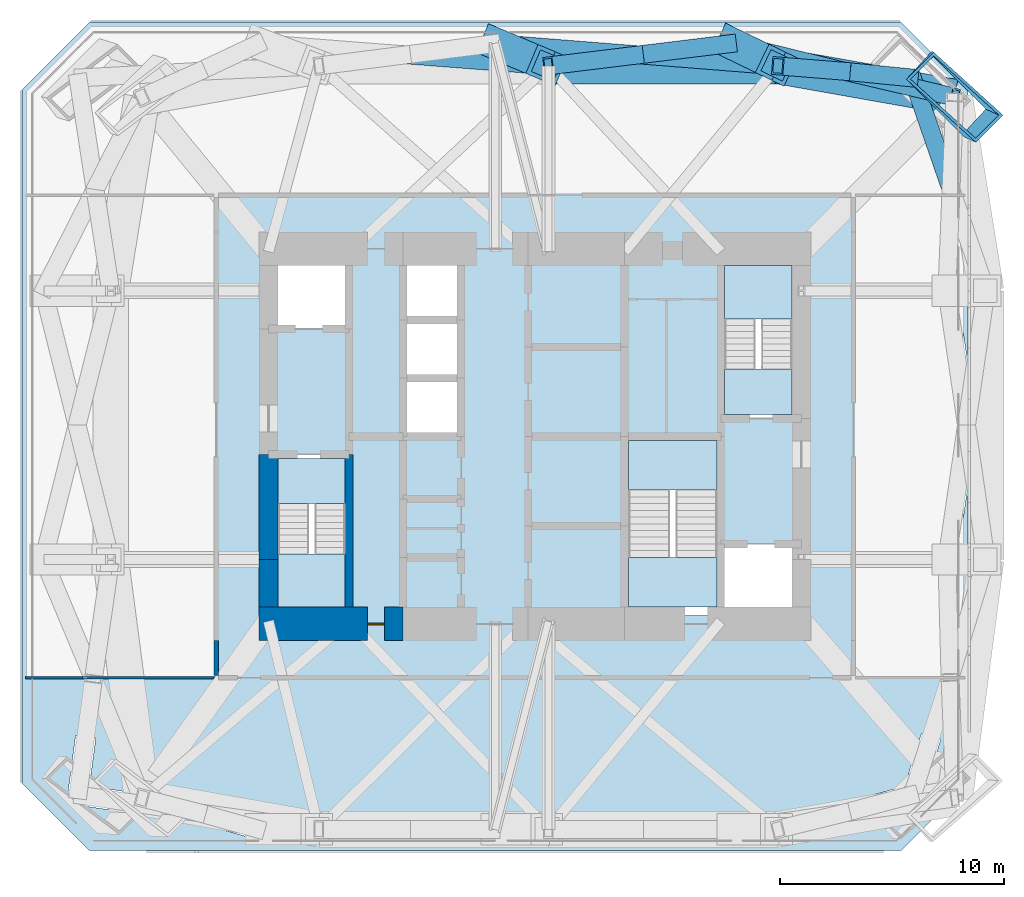
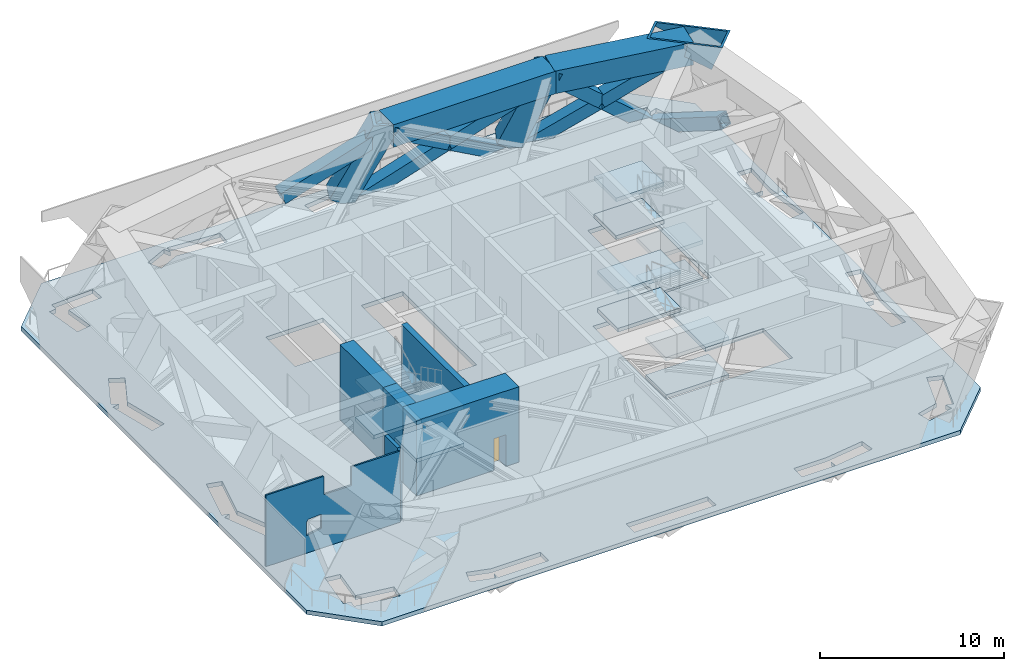
# One storey, part 3 of 8: 13 members, 13 slabs, 6 walls, 2 beams, 1 door, 1 opening, 3 elements without a shape of their own.
"""IFC4 building model written with IfcOpenShell, lengths in metres."""

from ifc_helpers import new_model, si_unit, direction, frame, frame_2d, origin, origin_2d, place, context, subcontext, project, spatial, polyline, rectangle, hollow_rectangle, outline, extrude, clip, halfspace, material, layer, layer_set, constituent, constituent_set, material_profile, profile_set, type_object, element, fill, aggregate, save


model = new_model("IFC4")

# Units and contexts
model_context = context("Model", 3, precision=1e-05, world=origin(), true_north=direction((0.0, 1.0)))
body_context = subcontext(model_context, "Body", "Model", "MODEL_VIEW")
ifc_project = project(units=[si_unit("LENGTHUNIT", "METRE"), si_unit("AREAUNIT", "SQUARE_METRE"), si_unit("VOLUMEUNIT", "CUBIC_METRE"), si_unit("PLANEANGLEUNIT", "RADIAN"), si_unit("MASSUNIT", "GRAM", prefix="KILO")], contexts=[model_context])

# Site, building, storey
site_placement = place(None, origin())
site = spatial("IfcSite", under=ifc_project, at=site_placement, CompositionType="ELEMENT")
building_placement = place(site_placement, origin())
building = spatial("IfcBuilding", under=site, at=building_placement, Name="Jalousie Tower", CompositionType="ELEMENT")
storey_placement = place(building_placement, frame((0.0, 0.0, 149.35009765625)))
storey = spatial("IfcBuildingStorey", under=building, at=storey_placement, Name="L40", CompositionType="ELEMENT", Elevation=149.35009765625)

# Members
ifc_material_1 = material(Name="Steel EN 10025-2 S355J2 plate", Category="steel")
ifc_material_profile_1 = material_profile(ifc_material_1, hollow_rectangle(XDim=1.699951171875, YDim=3.89990234375, WallThickness=0.125, at=origin_2d()), Name="BOX 3900x1700x125")
ifc_profile_set_1 = profile_set([ifc_material_profile_1], Name="Steel EN 10025-2 S355J2 plate")
member_type_1 = type_object("IfcMemberType", Name="KINK NODE BOX 3900x1700x125", PredefinedType="MEMBER", material=ifc_profile_set_1)
member_1_placement = place(storey_placement, frame((50.34375, 33.791259765625, 4.186279296875), z_axis=(0.34925735181, -0.158627396994, 0.92350238285), x_axis=(-0.666232311879, -0.735074274874, 0.125699311958)))
element("IfcMember", 1, at=member_1_placement, inside=storey, type_object=member_type_1, Name="Kink node of corner column 08 at +154.350", PredefinedType="MEMBER", context=body_context, shape_type="Clipping", body=[
    clip(extrude(hollow_rectangle(XDim=1.699951171875, YDim=3.89990234375, WallThickness=0.125, at=origin_2d()), origin(), (0.0, 0.0, 1.0), 1.76220703125), halfspace(frame((0.0, 0.0, 0.881103515625), z_axis=(0.125699311958, -0.362412792053, 0.92350238285)), False)),
])
ifc_material_2 = material(Name="Steel ASTM A572 Grade 50 plate", Category="steel")
ifc_material_profile_2 = material_profile(ifc_material_2, hollow_rectangle(XDim=0.800048828125, YDim=0.800048828125, WallThickness=0.080078125, at=origin_2d()), Name="BOX 800x800x80")
ifc_profile_set_2 = profile_set([ifc_material_profile_2], Name="Steel ASTM A572 Grade 50 plate")
member_type_2 = type_object("IfcMemberType", Name="PERIMETER BRACE BOX 800x800x80", PredefinedType="BRACE", material=ifc_profile_set_2)
member_2_placement = place(storey_placement, frame((48.760009765625, 34.510009765625, -0.75), z_axis=(0.292868549058, -0.846327458881, 0.444924538901), x_axis=(0.945017463506, 0.32701986739, 0.0)))
element("IfcMember", 2, at=member_2_placement, inside=storey, type_object=member_type_2, Name="Perimeter brace 07-08 L40 part 3", PredefinedType="BRACE", context=body_context, shape_type="SweptSolid", body=[
    extrude(hollow_rectangle(XDim=0.800048828125, YDim=0.800048828125, WallThickness=0.080078125, at=origin_2d()), origin(), (0.0, 0.0, 1.0), 5.884521484375),
])
member_3_placement = place(storey_placement, frame((48.760009765625, 34.510009765625, -0.75), z_axis=(-0.765677546783, 0.075537971717, 0.638773754299), x_axis=(-0.098178449842, -0.995168825872, 0.0)))
element("IfcMember", 3, at=member_3_placement, inside=storey, type_object=member_type_2, Name="Perimeter brace 08-09 L40 part 1", PredefinedType="BRACE", context=body_context, shape_type="SweptSolid", body=[
    extrude(hollow_rectangle(XDim=0.800048828125, YDim=0.800048828125, WallThickness=0.080078125, at=origin_2d()), origin(), (0.0, 0.0, 1.0), 3.959228515625),
])
member_4_placement = place(storey_placement, frame((45.728515625, 34.80908203125, 1.779052734375), z_axis=(-0.768148642914, 0.062144484472, 0.637248558601), x_axis=(-0.080638178262, -0.99674343951, 0.0)))
element("IfcMember", 4, at=member_4_placement, inside=storey, type_object=member_type_2, Name="Perimeter brace 08-09 L40 part 2", PredefinedType="BRACE", context=body_context, shape_type="SweptSolid", body=[
    extrude(hollow_rectangle(XDim=0.800048828125, YDim=0.800048828125, WallThickness=0.080078125, at=origin_2d()), origin(), (0.0, 0.0, 1.0), 3.87744140625),
])
member_5_placement = place(storey_placement, frame((40.6875, 36.050048828125, -0.75), z_axis=(0.872938215043, -0.214894660358, 0.437948807131), x_axis=(0.239037465316, 0.97101034504, 0.0)))
element("IfcMember", 5, at=member_5_placement, inside=storey, type_object=member_type_2, Name="Perimeter brace 08-09 L40 part 3", PredefinedType="BRACE", context=body_context, shape_type="SweptSolid", body=[
    extrude(hollow_rectangle(XDim=0.800048828125, YDim=0.800048828125, WallThickness=0.080078125, at=origin_2d()), origin(), (0.0, 0.0, 1.0), 5.774658203125),
])
member_6_placement = place(storey_placement, frame((45.728515625, 34.80908203125, 1.779052734375), z_axis=(0.874642709529, -0.205637544551, 0.438991265219), x_axis=(0.228869815229, 0.973457039462, 0.0)))
element("IfcMember", 6, at=member_6_placement, inside=storey, type_object=member_type_2, Name="Perimeter brace 08-09 L40 part 4", PredefinedType="BRACE", context=body_context, shape_type="SweptSolid", body=[
    extrude(hollow_rectangle(XDim=0.800048828125, YDim=0.800048828125, WallThickness=0.080078125, at=origin_2d()), origin(), (0.0, 0.0, 1.0), 5.628662109375),
])
member_7_placement = place(storey_placement, frame((40.6875, 36.050048828125, -0.75), z_axis=(-0.848862401614, -0.103688891478, 0.518344708577), x_axis=(0.121249197679, -0.992622099322, 0.0)))
element("IfcMember", 7, at=member_7_placement, inside=storey, type_object=member_type_2, Name="Perimeter brace 09-10 L40 part 1", PredefinedType="BRACE", context=body_context, shape_type="SweptSolid", body=[
    extrude(hollow_rectangle(XDim=0.800048828125, YDim=0.800048828125, WallThickness=0.080078125, at=origin_2d()), origin(), (0.0, 0.0, 1.0), 4.89501953125),
])
member_8_placement = place(storey_placement, frame((36.5322265625, 35.54248046875, 1.787353515625), z_axis=(-0.848824576303, -0.103661853379, 0.518412055048), x_axis=(0.121223367499, -0.992625254148, 0.0)))
element("IfcMember", 8, at=member_8_placement, inside=storey, type_object=member_type_2, Name="Perimeter brace 09-10 L40 part 2", PredefinedType="BRACE", context=body_context, shape_type="SweptSolid", body=[
    extrude(hollow_rectangle(XDim=0.800048828125, YDim=0.800048828125, WallThickness=0.080078125, at=origin_2d()), origin(), (0.0, 0.0, 1.0), 4.750244140625),
])
member_9_placement = place(storey_placement, frame((30.125, 36.050048828125, -0.75), z_axis=(0.927237396713, -0.073453991303, 0.367199293707), x_axis=(0.078970703873, 0.996876937204, 0.0)))
element("IfcMember", 9, at=member_9_placement, inside=storey, type_object=member_type_2, Name="Perimeter brace 09-10 L40 part 3", PredefinedType="BRACE", context=body_context, shape_type="SweptSolid", body=[
    extrude(hollow_rectangle(XDim=0.800048828125, YDim=0.800048828125, WallThickness=0.080078125, at=origin_2d()), origin(), (0.0, 0.0, 1.0), 6.909912109375),
])
member_10_placement = place(storey_placement, frame((36.5322265625, 35.54248046875, 1.787353515625), z_axis=(0.927222498736, -0.073433633577, 0.367240982596), x_axis=(0.078950214222, 0.996878560144, 0.0)))
element("IfcMember", 10, at=member_10_placement, inside=storey, type_object=member_type_2, Name="Perimeter brace 09-10 L40 part 4", PredefinedType="BRACE", context=body_context, shape_type="SweptSolid", body=[
    extrude(hollow_rectangle(XDim=0.800048828125, YDim=0.800048828125, WallThickness=0.080078125, at=origin_2d()), origin(), (0.0, 0.0, 1.0), 6.705810546875),
])
member_11_placement = place(storey_placement, frame((26.12841796875, 35.54248046875, 1.787353515625), z_axis=(0.930339652656, -0.071901872918, 0.359580660447), x_axis=(0.077055828588, 0.997026779621, 0.0)))
element("IfcMember", 11, at=member_11_placement, inside=storey, type_object=member_type_2, Name="Perimeter brace 10-11 L40 part 4", PredefinedType="BRACE", context=body_context, shape_type="SweptSolid", body=[
    extrude(hollow_rectangle(XDim=0.800048828125, YDim=0.800048828125, WallThickness=0.080078125, at=origin_2d()), origin(), (0.0, 0.0, 1.0), 6.8486328125),
])

# Beams
ifc_material_3 = material(Name="Concrete f'c 40 MPa", Category="concrete")
ifc_material_profile_3 = material_profile(ifc_material_3, rectangle(XDim=1.60009765625, YDim=1.5, at=origin_2d()), Name="RC 1600x1500")
ifc_profile_set_3 = profile_set([ifc_material_profile_3], Name="Concrete f'c 40 MPa")
beam_type = type_object("IfcBeamType", Name="RC BEAM 1600x1500", PredefinedType="BEAM", material=ifc_profile_set_3)
beam_1_placement = place(storey_placement, frame((50.651611328125, 33.651611328125, 4.25), z_axis=(-0.984697370688, 0.174273027632, 0.0), x_axis=(-0.174273027632, -0.984697370688, 0.0)))
element("IfcBeam", 12, at=beam_1_placement, inside=storey, type_object=beam_type, Name="Edge band beam 08-09 under L41", PredefinedType="BEAM", context=body_context, shape_type="SweptSolid", body=[
    extrude(rectangle(XDim=1.60009765625, YDim=1.5, at=origin_2d()), origin(), (0.0, 0.0, 1.0), 8.0244140625),
])
beam_2_placement = place(storey_placement, frame((42.75, 35.050048828125, 4.25), z_axis=(-1.0, 0.0, 0.0), x_axis=(0.0, -1.0, 0.0)))
element("IfcBeam", 13, at=beam_2_placement, inside=storey, type_object=beam_type, Name="Edge band beam 09-10 under L41", PredefinedType="BEAM", context=body_context, shape_type="SweptSolid", body=[
    extrude(rectangle(XDim=1.60009765625, YDim=1.5, at=origin_2d()), origin(), (0.0, 0.0, 1.0), 10.25),
])

# Members
ifc_material_4 = material(Name="Steel EN 10025-2 S355J2 plate", Category="steel")
ifc_material_profile_4 = material_profile(ifc_material_4, hollow_rectangle(XDim=1.39990234375, YDim=1.39990234375, WallThickness=0.175048828125, at=origin_2d()), Name="BOX 1400x1400x175")
ifc_profile_set_4 = profile_set([ifc_material_profile_4], Name="Steel EN 10025-2 S355J2 plate")
member_type_3 = type_object("IfcMemberType", Name="TRANSFER TRUSS STRUT BOX 1400x1400x175", PredefinedType="STRUT", material=ifc_profile_set_4)
member_12_placement = place(storey_placement, frame((40.6875, 36.050048828125, 0.0), z_axis=(0.374975790051, -0.181806443661, 0.909032218306), x_axis=(0.436273506519, 0.899814107196, 0.0)))
element("IfcMember", 14, at=member_12_placement, inside=storey, type_object=member_type_3, Name="Transfer truss T2 strut 09 L40", PredefinedType="STRUT", context=body_context, shape_type="Clipping", body=[
    clip(extrude(hollow_rectangle(XDim=1.39990234375, YDim=1.39990234375, WallThickness=0.175048828125, at=origin_2d()), origin(), (0.0, 0.0, 1.0), 5.500244140625), halfspace(frame((0.0, 0.0, 5.478271484375), z_axis=(0.0, 0.416725840429, 0.909032218306)), False)),
])
member_13_placement = place(storey_placement, frame((30.125, 36.050048828125, 0.0), z_axis=(0.422222222222, -0.177777777778, 0.888888888889), x_axis=(0.388057000058, 0.921635375138, 0.0)))
element("IfcMember", 15, at=member_13_placement, inside=storey, type_object=member_type_3, Name="Transfer truss T2 strut 10 L40", PredefinedType="STRUT", context=body_context, shape_type="Clipping", body=[
    clip(extrude(hollow_rectangle(XDim=1.39990234375, YDim=1.39990234375, WallThickness=0.175048828125, at=origin_2d()), origin(), (0.0, 0.0, 1.0), 5.625), halfspace(frame((0.0, 0.0, 5.6025390625), z_axis=(0.0, 0.458122847291, 0.888888888889)), False)),
])

# Slab
ifc_material_5 = material(Name="Concrete f'c 40 MPa", Category="concrete")
ifc_layer_1 = layer(ifc_material_5, 0.280029296875)
ifc_layer_set_1 = layer_set([ifc_layer_1], Name="Concrete f'c 40 MPa")
slab_type_1 = type_object("IfcSlabType", Name="FLOOR SLAB 280", PredefinedType="FLOOR", material=ifc_layer_set_1)
slab_1_placement = place(storey_placement, frame((0.0, 0.0, -0.280029296875)))
element("IfcSlab", 16, at=slab_1_placement, inside=storey, type_object=slab_type_1, Name="L40 floor slab", PredefinedType="FLOOR", context=body_context, shape_type="SweptSolid", body=[
    extrude(outline(polyline([(12.0, 0.0), (48.25, 0.0), (51.25, 3.0), (51.25, 34.0), (48.25, 37.0), (12.0, 37.0), (9.0, 34.0), (9.0, 3.0), (12.0, 0.0)]), holes=[polyline([(19.441650390625, 0.5166015625), (18.04052734375, 0.906982421875), (18.2822265625, 1.77392578125), (19.6240234375, 1.39990234375), (22.7421875, 1.39990234375), (22.7421875, 0.5), (19.5625, 0.5), (19.5625, 0.949951171875), (19.441650390625, 0.5166015625)]), polyline([(11.389404296875, 5.141845703125), (12.281494140625, 5.022705078125), (11.99462890625, 2.8701171875), (14.220458984375, 2.54052734375), (14.08837890625, 1.650146484375), (11.424072265625, 2.044921875), (11.489990234375, 2.489990234375), (11.0439453125, 2.54931640625), (11.389404296875, 5.141845703125)]), polyline([(10.252197265625, 16.064697265625), (11.12548828125, 15.84619140625), (10.4228515625, 13.035888671875), (11.47412109375, 10.525634765625), (10.64404296875, 10.177978515625), (9.534912109375, 12.826171875), (9.949951171875, 13.0), (9.513427734375, 13.109130859375), (10.252197265625, 16.064697265625)]), polyline([(20.0, 10.5), (23.60009765625, 10.5), (23.60009765625, 17.699951171875), (20.0, 17.699951171875), (20.0, 10.5)]), polyline([(26.0, 18.5), (26.0, 26.5), (28.60009765625, 26.5), (28.60009765625, 18.5), (26.0, 18.5)]), polyline([(9.548828125, 25.2041015625), (10.648681640625, 27.366943359375), (11.451171875, 26.958984375), (10.427490234375, 24.946044921875), (11.12548828125, 22.15380859375), (10.252197265625, 21.935302734375), (9.513427734375, 24.890869140625), (9.949951171875, 25.0), (9.548828125, 25.2041015625)]), polyline([(20.0, 23.300048828125), (23.60009765625, 23.300048828125), (23.60009765625, 26.5), (20.0, 26.5), (20.0, 23.300048828125)]), polyline([(14.126708984375, 35.10498046875), (14.176025390625, 34.206298828125), (12.010009765625, 34.087890625), (12.2998046875, 32.199462890625), (11.41015625, 32.06298828125), (11.045166015625, 34.44189453125), (11.489990234375, 34.510009765625), (11.46533203125, 34.95947265625), (14.126708984375, 35.10498046875)]), polyline([(22.7763671875, 36.2529296875), (22.70703125, 35.355712890625), (19.646484375, 35.59228515625), (18.3662109375, 34.990234375), (17.9833984375, 35.8046875), (19.37109375, 36.457275390625), (19.5625, 36.050048828125), (19.59716796875, 36.498779296875), (22.7763671875, 36.2529296875)]), polyline([(28.11865234375, 1.39990234375), (30.125, 1.39990234375), (33.2314453125, 1.39990234375), (33.2314453125, 0.5), (30.125, 0.5), (28.11865234375, 0.5), (28.11865234375, 1.39990234375)]), polyline([(40.75244140625, 0.504638671875), (40.6875, 0.949951171875), (40.6875, 0.5), (38.610107421875, 0.5), (38.610107421875, 1.39990234375), (40.65478515625, 1.39990234375), (43.1025390625, 1.756591796875), (43.232421875, 0.8662109375), (40.75244140625, 0.504638671875)]), polyline([(49.188720703125, 2.352783203125), (48.760009765625, 2.489990234375), (48.87548828125, 2.054931640625), (47.2978515625, 1.636474609375), (47.06689453125, 2.50634765625), (48.406494140625, 2.86181640625), (49.168212890625, 5.2421875), (50.025390625, 4.9677734375), (49.188720703125, 2.352783203125)]), polyline([(35.89990234375, 10.5), (35.89990234375, 18.5), (40.199951171875, 18.5), (40.199951171875, 13.699951171875), (43.800048828125, 13.699951171875), (43.800048828125, 10.5), (35.89990234375, 10.5)]), polyline([(50.2861328125, 16.023193359375), (51.1767578125, 15.8935546875), (50.7509765625, 12.973388671875), (50.8193359375, 10.38134765625), (49.919677734375, 10.357666015625), (49.85009765625, 12.988037109375), (50.300048828125, 13.0), (49.854736328125, 13.06494140625), (50.2861328125, 16.023193359375)]), polyline([(40.199951171875, 19.300048828125), (43.800048828125, 19.300048828125), (43.800048828125, 26.5), (40.199951171875, 26.5), (40.199951171875, 19.300048828125)]), polyline([(49.850341796875, 25.018310546875), (49.938720703125, 27.201416015625), (50.838134765625, 27.1650390625), (50.751220703125, 25.023681640625), (51.1767578125, 22.1064453125), (50.2861328125, 21.976806640625), (49.854736328125, 24.93505859375), (50.300048828125, 25.0), (49.850341796875, 25.018310546875)]), polyline([(49.155517578125, 31.99169921875), (48.42919921875, 34.090576171875), (47.1337890625, 34.21826171875), (47.22216796875, 35.114013671875), (48.80419921875, 34.9580078125), (48.760009765625, 34.510009765625), (49.185302734375, 34.6572265625), (50.005859375, 32.285888671875), (49.155517578125, 31.99169921875)]), polyline([(40.6328125, 36.49658203125), (40.6875, 36.050048828125), (40.795166015625, 36.487060546875), (43.276611328125, 35.876220703125), (43.061279296875, 35.002197265625), (40.66015625, 35.59326171875), (38.666015625, 35.349853515625), (38.556884765625, 36.2431640625), (40.6328125, 36.49658203125)]), polyline([(28.063720703125, 36.241943359375), (30.068359375, 36.496337890625), (30.125, 36.050048828125), (30.160400390625, 36.49853515625), (33.266357421875, 36.252685546875), (33.1953125, 35.35546875), (30.1357421875, 35.59765625), (28.177001953125, 35.34912109375), (28.063720703125, 36.241943359375)])]), origin(), (0.0, 0.0, 1.0), 0.280029296875),
])

# Stair, slabs
ifc_material_6 = material(Name="Concrete f'c 40 MPa", Category="concrete")
stair_type = type_object("IfcStairType", Name="EXIT STAIR", PredefinedType="HALF_TURN_STAIR", material=ifc_material_6)
stair_1_placement = place(storey_placement, origin())
stair_1 = element("IfcStair", 17, at=stair_1_placement, inside=storey, type_object=stair_type, Name="Exit stair A L40", PredefinedType="HALF_TURN_STAIR")
ifc_material_7 = material(Name="Concrete f'c 40 MPa", Category="concrete")
ifc_layer_2 = layer(ifc_material_7, 0.25)
ifc_layer_set_2 = layer_set([ifc_layer_2], Name="Concrete f'c 40 MPa")
slab_type_2 = type_object("IfcSlabType", Name="STAIR LANDING 250", PredefinedType="LANDING", material=ifc_layer_set_2)
slab_2_placement = place(storey_placement, frame((0.0, 0.0, -0.25)))
slab_2 = element("IfcSlab", 18, at=slab_2_placement, type_object=slab_type_2, Name="ST-A landing 1", PredefinedType="LANDING", context=body_context, shape_type="SweptSolid", body=[
    extrude(outline(polyline([(20.425048828125, 15.49755859375), (23.425048828125, 15.49755859375), (23.425048828125, 17.52490234375), (20.425048828125, 17.52490234375), (20.425048828125, 15.49755859375)])), origin(), (0.0, 0.0, 1.0), 0.25),
])
slab_3_placement = place(storey_placement, frame((0.0, 0.0, 1.0)))
slab_3 = element("IfcSlab", 19, at=slab_3_placement, type_object=slab_type_2, Name="ST-A landing 2", PredefinedType="LANDING", context=body_context, shape_type="SweptSolid", body=[
    extrude(outline(polyline([(20.425048828125, 10.875), (23.425048828125, 10.875), (23.425048828125, 13.257568359375), (20.425048828125, 13.257568359375), (20.425048828125, 10.875)])), origin(), (0.0, 0.0, 1.0), 0.25),
])
slab_4_placement = place(storey_placement, frame((0.0, 0.0, 2.25)))
slab_4 = element("IfcSlab", 20, at=slab_4_placement, type_object=slab_type_2, Name="ST-A landing 3", PredefinedType="LANDING", context=body_context, shape_type="SweptSolid", body=[
    extrude(outline(polyline([(20.425048828125, 15.49755859375), (23.425048828125, 15.49755859375), (23.425048828125, 17.52490234375), (20.425048828125, 17.52490234375), (20.425048828125, 15.49755859375)])), origin(), (0.0, 0.0, 1.0), 0.25),
])
slab_5_placement = place(storey_placement, frame((0.0, 0.0, 3.5)))
slab_5 = element("IfcSlab", 21, at=slab_5_placement, type_object=slab_type_2, Name="ST-A landing 4", PredefinedType="LANDING", context=body_context, shape_type="SweptSolid", body=[
    extrude(outline(polyline([(20.425048828125, 10.875), (23.425048828125, 10.875), (23.425048828125, 13.257568359375), (20.425048828125, 13.257568359375), (20.425048828125, 10.875)])), origin(), (0.0, 0.0, 1.0), 0.25),
])
aggregate(stair_1, [slab_2, slab_3, slab_4, slab_5])

stair_2_placement = place(storey_placement, origin())
stair_2 = element("IfcStair", 22, at=stair_2_placement, inside=storey, type_object=stair_type, Name="Exit stair B L40", PredefinedType="HALF_TURN_STAIR")
slab_6_placement = place(storey_placement, frame((0.0, 0.0, -0.25)))
slab_6 = element("IfcSlab", 23, at=slab_6_placement, type_object=slab_type_2, Name="ST-B landing 1", PredefinedType="LANDING", context=body_context, shape_type="SweptSolid", body=[
    extrude(outline(polyline([(40.375, 19.47509765625), (43.375, 19.47509765625), (43.375, 21.50244140625), (40.375, 21.50244140625), (40.375, 19.47509765625)])), origin(), (0.0, 0.0, 1.0), 0.25),
])
slab_7_placement = place(storey_placement, frame((0.0, 0.0, 1.0)))
slab_7 = element("IfcSlab", 24, at=slab_7_placement, type_object=slab_type_2, Name="ST-B landing 2", PredefinedType="LANDING", context=body_context, shape_type="SweptSolid", body=[
    extrude(outline(polyline([(40.375, 23.742431640625), (43.375, 23.742431640625), (43.375, 26.125), (40.375, 26.125), (40.375, 23.742431640625)])), origin(), (0.0, 0.0, 1.0), 0.25),
])
slab_8_placement = place(storey_placement, frame((0.0, 0.0, 2.25)))
slab_8 = element("IfcSlab", 25, at=slab_8_placement, type_object=slab_type_2, Name="ST-B landing 3", PredefinedType="LANDING", context=body_context, shape_type="SweptSolid", body=[
    extrude(outline(polyline([(40.375, 19.47509765625), (43.375, 19.47509765625), (43.375, 21.50244140625), (40.375, 21.50244140625), (40.375, 19.47509765625)])), origin(), (0.0, 0.0, 1.0), 0.25),
])
slab_9_placement = place(storey_placement, frame((0.0, 0.0, 3.5)))
slab_9 = element("IfcSlab", 26, at=slab_9_placement, type_object=slab_type_2, Name="ST-B landing 4", PredefinedType="LANDING", context=body_context, shape_type="SweptSolid", body=[
    extrude(outline(polyline([(40.375, 23.742431640625), (43.375, 23.742431640625), (43.375, 26.125), (40.375, 26.125), (40.375, 23.742431640625)])), origin(), (0.0, 0.0, 1.0), 0.25),
])
aggregate(stair_2, [slab_6, slab_7, slab_8, slab_9])

stair_3_placement = place(storey_placement, origin())
stair_3 = element("IfcStair", 27, at=stair_3_placement, inside=storey, type_object=stair_type, Name="Exit stair C L40", PredefinedType="HALF_TURN_STAIR")
slab_10_placement = place(storey_placement, frame((0.0, 0.0, -0.25)))
slab_10 = element("IfcSlab", 28, at=slab_10_placement, type_object=slab_type_2, Name="ST-C landing 1", PredefinedType="LANDING", context=body_context, shape_type="SweptSolid", body=[
    extrude(outline(polyline([(36.074951171875, 10.875), (40.02490234375, 10.875), (40.02490234375, 13.097412109375), (36.074951171875, 13.097412109375), (36.074951171875, 10.875)])), origin(), (0.0, 0.0, 1.0), 0.25),
])
slab_11_placement = place(storey_placement, frame((0.0, 0.0, 1.0)))
slab_11 = element("IfcSlab", 29, at=slab_11_placement, type_object=slab_type_2, Name="ST-C landing 2", PredefinedType="LANDING", context=body_context, shape_type="SweptSolid", body=[
    extrude(outline(polyline([(36.074951171875, 16.097412109375), (40.02490234375, 16.097412109375), (40.02490234375, 18.324951171875), (36.074951171875, 18.324951171875), (36.074951171875, 16.097412109375)])), origin(), (0.0, 0.0, 1.0), 0.25),
])
slab_12_placement = place(storey_placement, frame((0.0, 0.0, 2.25)))
slab_12 = element("IfcSlab", 30, at=slab_12_placement, type_object=slab_type_2, Name="ST-C landing 3", PredefinedType="LANDING", context=body_context, shape_type="SweptSolid", body=[
    extrude(outline(polyline([(36.074951171875, 10.875), (40.02490234375, 10.875), (40.02490234375, 13.097412109375), (36.074951171875, 13.097412109375), (36.074951171875, 10.875)])), origin(), (0.0, 0.0, 1.0), 0.25),
])
slab_13_placement = place(storey_placement, frame((0.0, 0.0, 3.5)))
slab_13 = element("IfcSlab", 31, at=slab_13_placement, type_object=slab_type_2, Name="ST-C landing 4", PredefinedType="LANDING", context=body_context, shape_type="SweptSolid", body=[
    extrude(outline(polyline([(36.074951171875, 16.097412109375), (40.02490234375, 16.097412109375), (40.02490234375, 18.324951171875), (36.074951171875, 18.324951171875), (36.074951171875, 16.097412109375)])), origin(), (0.0, 0.0, 1.0), 0.25),
])
aggregate(stair_3, [slab_10, slab_11, slab_12, slab_13])

# Wall, opening, door
ifc_material_8 = material(Name="Concrete f'c 120 MPa", Category="concrete")
ifc_layer_3 = layer(ifc_material_8, 1.5)
ifc_layer_set_3 = layer_set([ifc_layer_3], Name="Concrete f'c 120 MPa")
wall_type_1 = type_object("IfcWallType", Name="CORE WALL 1500", PredefinedType="SHEAR", material=ifc_layer_set_3)
wall_1_placement = place(storey_placement, frame((19.574951171875, 10.125, 0.0), z_axis=(0.0, 0.0, 1.0), x_axis=(1.0, 0.0, 0.0)))
wall_1 = element("IfcWall", 32, at=wall_1_placement, inside=storey, type_object=wall_type_1, Name="Core wall SA L40", PredefinedType="SHEAR", context=body_context, shape_type="SweptSolid", body=[
    extrude(rectangle(XDim=6.425048828125, YDim=1.5, at=frame_2d((3.21240234375, 0.0))), origin(), (0.0, 0.0, 1.0), 5.0),
])
opening_placement = place(wall_1_placement, frame((4.85009765625, 0.0, 0.0)))
opening = element("IfcOpeningElement", 33, at=opening_placement, cuts=wall_1, Name="Opening D16", PredefinedType="OPENING", context=body_context, shape_type="SweptSolid", body=[
    extrude(rectangle(XDim=0.75, YDim=2.10009765625, at=frame_2d((0.375, 1.050048828125))), frame((0.0, 0.760009765625, 0.0), z_axis=(0.0, -1.0, 0.0), x_axis=(1.0, 0.0, 0.0)), (0.0, 0.0, 1.0), 1.52001953125),
])
ifc_material_9 = material(Name="Steel fire door", Category="steel")
door_type = type_object("IfcDoorType", Name="RISER DOOR 750", OperationType="SINGLE_SWING_LEFT", PredefinedType="DOOR", material=ifc_material_9)
door_placement = place(opening_placement, origin())
door = element("IfcDoor", 34, at=door_placement, inside=storey, type_object=door_type, Name="South riser door", OperationType="SINGLE_SWING_LEFT", OverallHeight=2.10009765625, OverallWidth=0.75, PredefinedType="DOOR", context=body_context, shape_type="SweptSolid", body=[
    extrude(rectangle(XDim=0.75, YDim=2.10009765625, at=frame_2d((0.375, 1.050048828125))), frame((0.0, 0.02490234375, 0.0), z_axis=(0.0, -1.0, 0.0), x_axis=(1.0, 0.0, 0.0)), (0.0, 0.0, 1.0), 0.050048828125),
])
fill(opening, door)

# Walls
ifc_material_10 = material(Name="Concrete f'c 120 MPa", Category="concrete")
ifc_layer_4 = layer(ifc_material_10, 0.35009765625)
ifc_layer_set_4 = layer_set([ifc_layer_4], Name="Concrete f'c 120 MPa")
wall_type_2 = type_object("IfcWallType", Name="CORE WALL 350", PredefinedType="SHEAR", material=ifc_layer_set_4)
wall_2_placement = place(storey_placement, frame((23.60009765625, 10.875, 0.0), z_axis=(0.0, 0.0, 1.0), x_axis=(0.0, 1.0, 0.0)))
element("IfcWall", 35, at=wall_2_placement, inside=storey, type_object=wall_type_2, Name="Core wall X23.6A L40", PredefinedType="SHEAR", context=body_context, shape_type="SweptSolid", body=[
    extrude(rectangle(XDim=6.824951171875, YDim=0.35009765625, at=frame_2d((3.41259765625, 0.0))), origin(), (0.0, 0.0, 1.0), 5.0),
])
ifc_material_11 = material(Name="Concrete f'c 120 MPa", Category="concrete")
ifc_layer_5 = layer(ifc_material_11, 0.85009765625)
ifc_layer_set_5 = layer_set([ifc_layer_5], Name="Concrete f'c 120 MPa")
wall_type_3 = type_object("IfcWallType", Name="CORE WALL 850", PredefinedType="SHEAR", material=ifc_layer_set_5)
wall_3_placement = place(storey_placement, frame((20.0, 17.699951171875, 0.0), z_axis=(0.0, 0.0, 1.0), x_axis=(0.0, -1.0, 0.0)))
element("IfcWall", 36, at=wall_3_placement, inside=storey, type_object=wall_type_3, Name="Core wall WC L40", PredefinedType="SHEAR", context=body_context, shape_type="SweptSolid", body=[
    extrude(rectangle(XDim=4.699951171875, YDim=0.85009765625, at=frame_2d((2.35009765625, 0.0))), origin(), (0.0, 0.0, 1.0), 5.0),
])
wall_4_placement = place(storey_placement, frame((20.0, 13.0, 0.0), z_axis=(0.0, 0.0, 1.0), x_axis=(0.0, -1.0, 0.0)))
element("IfcWall", 37, at=wall_4_placement, inside=storey, type_object=wall_type_3, Name="Core wall WD L40", PredefinedType="SHEAR", context=body_context, shape_type="SweptSolid", body=[
    extrude(rectangle(XDim=2.125, YDim=0.85009765625, at=frame_2d((1.0625, 0.0))), origin(), (0.0, 0.0, 1.0), 5.0),
])
ifc_material_12 = material(Name="Concrete block ASTM C90", Category="concrete")
ifc_constituent_1 = constituent(ifc_material_12, Name="Body")
ifc_material_13 = material(Name="Render")
ifc_constituent_2 = constituent(ifc_material_13, Name="Finish")
ifc_constituent_set_1 = constituent_set(constituents=[ifc_constituent_1, ifc_constituent_2])
wall_type_4 = type_object("IfcWallType", Name="CORRIDOR WALL 200", PredefinedType="PARTITIONING", material=ifc_constituent_set_1)
wall_5_placement = place(storey_placement, frame((17.675048828125, 7.824951171875, 0.0), z_axis=(0.0, 0.0, 1.0), x_axis=(0.0, 1.0, 0.0)))
element("IfcWall", 38, at=wall_5_placement, inside=storey, type_object=wall_type_4, Name="Corridor Wall 200 L40", PredefinedType="PARTITIONING", context=body_context, shape_type="SweptSolid", body=[
    extrude(outline(polyline([(0.0, 0.0), (1.550048828125, 0.0), (1.550048828125, 4.719970703125), (0.173583984375, 4.719970703125), (0.173583984375, 2.52001953125), (0.0, 2.52001953125), (0.0, 0.0)])), frame((0.0, 0.10009765625, 0.0), z_axis=(0.0, -1.0, 0.0), x_axis=(1.0, 0.0, 0.0)), (0.0, 0.0, 1.0), 0.199951171875),
])
ifc_material_14 = material(Name="Gypsum board", Category="gypsum")
ifc_constituent_3 = constituent(ifc_material_14, Name="Body")
ifc_material_15 = material(Name="Light-gauge steel studs ASTM A653 SS Grade 33", Category="steel")
ifc_constituent_4 = constituent(ifc_material_15, Name="Framing")
ifc_constituent_set_2 = constituent_set(constituents=[ifc_constituent_3, ifc_constituent_4])
wall_type_5 = type_object("IfcWallType", Name="PARTITION 100", PredefinedType="PARTITIONING", material=ifc_constituent_set_2)
wall_6_placement = place(storey_placement, frame((9.14990234375, 7.72509765625, 0.0), z_axis=(0.0, 0.0, 1.0), x_axis=(1.0, 0.0, 0.0)))
element("IfcWall", 39, at=wall_6_placement, inside=storey, type_object=wall_type_5, Name="Partition 100 L40", PredefinedType="PARTITIONING", context=body_context, shape_type="SweptSolid", body=[
    extrude(outline(polyline([(3.625244140625, 4.719970703125), (0.0, 4.719970703125), (0.0, 0.0), (8.425048828125, 0.0), (8.425048828125, 2.52001953125), (8.3935546875, 2.52001953125), (8.3935546875, 4.719970703125), (5.360107421875, 4.719970703125), (5.360107421875, 3.5), (3.625244140625, 3.5), (3.625244140625, 4.719970703125)]), holes=[polyline([(3.47216796875, 1.364990234375), (3.4716796875, 1.364501953125), (3.47021484375, 1.363037109375), (3.466552734375, 1.3583984375), (3.46630859375, 1.3583984375), (3.451904296875, 1.34228515625), (3.4423828125, 1.308837890625), (3.3583984375, 1.303466796875), (2.544677734375, 1.168212890625), (2.544677734375, 2.0546875), (2.590087890625, 2.105224609375), (2.587158203125, 2.10791015625), (2.6171875, 2.11279296875), (2.6171875, 2.15185546875), (2.634033203125, 2.20703125), (3.459716796875, 2.26220703125), (3.459716796875, 2.251708984375), (3.47216796875, 2.25390625), (3.47216796875, 1.364990234375)])]), frame((0.0, 0.050048828125, 0.0), z_axis=(0.0, -1.0, 0.0), x_axis=(1.0, 0.0, 0.0)), (0.0, 0.0, 1.0), 0.10009765625),
])

save(model, "model.ifc")
